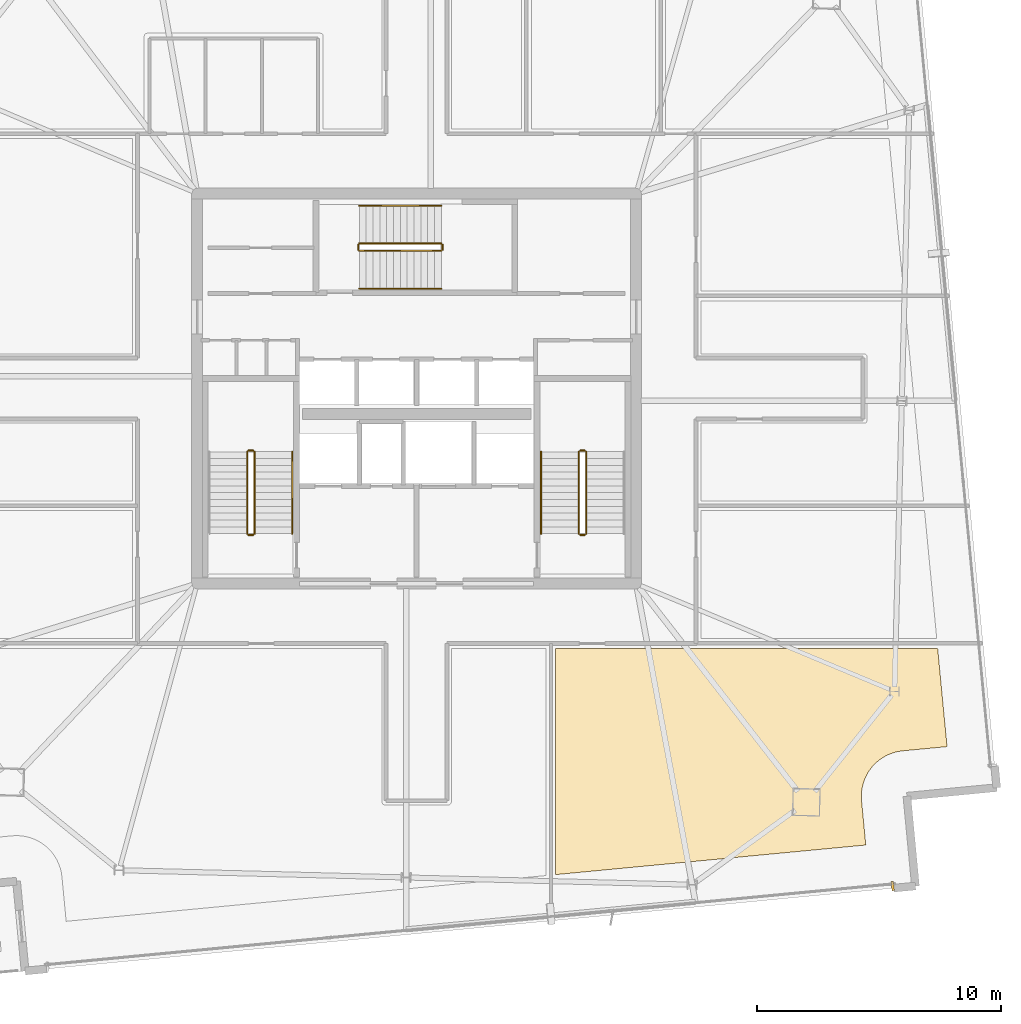
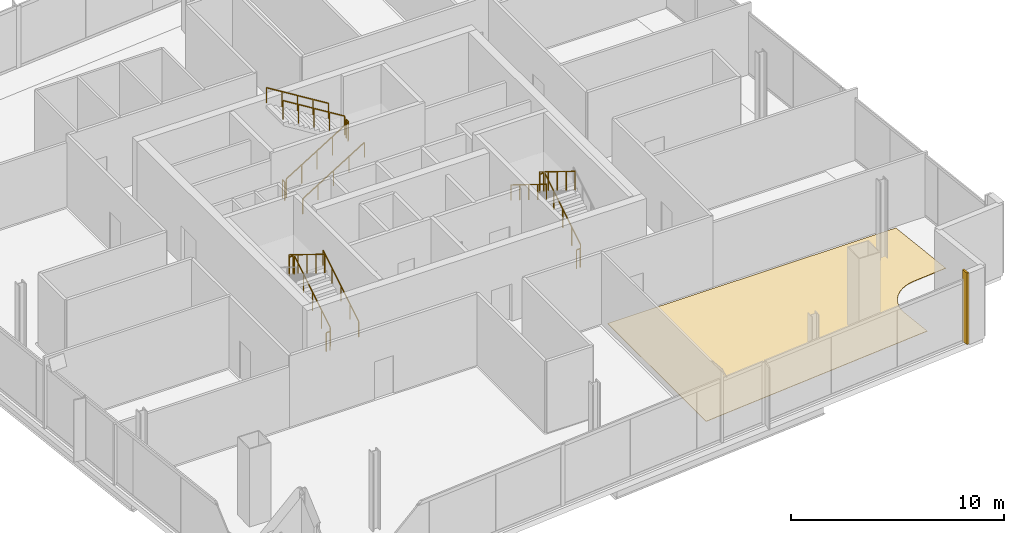
# One storey, part 23 of 24: 16 railings, 2 coverings.
"""IFC4 building model written with IfcOpenShell, lengths in metres."""

from ifc_helpers import new_model, si_unit, direction, frame, origin, origin_2d, place, context, subcontext, project, spatial, polyline, rectangle, outline, extrude, source, transform, mapped, material, layer, layer_set, type_object, element, save


model = new_model("IFC4")

# Units and contexts
model_context = context("Model", 3, precision=1e-05, world=origin(), true_north=direction((0.0, 1.0)))
body_context = subcontext(model_context, "Body", "Model", "MODEL_VIEW")
ifc_project = project(units=[si_unit("LENGTHUNIT", "METRE"), si_unit("AREAUNIT", "SQUARE_METRE"), si_unit("VOLUMEUNIT", "CUBIC_METRE"), si_unit("PLANEANGLEUNIT", "RADIAN"), si_unit("MASSUNIT", "GRAM", prefix="KILO")], contexts=[model_context])

# Site, building, storey
site_placement = place(None, origin())
site = spatial("IfcSite", under=ifc_project, at=site_placement, CompositionType="ELEMENT")
building_placement = place(site_placement, origin())
building = spatial("IfcBuilding", under=site, at=building_placement, Name="Haldenkirk Collegiate Tower", CompositionType="ELEMENT")
storey_placement = place(building_placement, frame((0.0, 0.0, 347.699951171875)))
storey = spatial("IfcBuildingStorey", under=building, at=storey_placement, Name="L88", CompositionType="ELEMENT", Elevation=347.699951171875)

# Covering
ifc_material_1 = material(Name="Polished collegiate terrazzo", Category="concrete")
ifc_layer_1 = layer(ifc_material_1, 0.02490234375)
ifc_layer_set_1 = layer_set([ifc_layer_1], Name="Polished collegiate terrazzo")
covering_type_1 = type_object("IfcCoveringType", Name="COV-FLOOR-TERRAZZO", PredefinedType="FLOORING", material=ifc_layer_set_1)
covering_1_placement = place(storey_placement, origin())
element("IfcCovering", 1, at=covering_1_placement, inside=storey, type_object=covering_type_1, Name="L88 academic room finish 02", PredefinedType="FLOORING", context=body_context, shape_type="SweptSolid", body=[
    extrude(outline(polyline([(55.232421875, 10.9384765625), (55.221923828125, 10.932861328125), (55.07421875, 10.844970703125), (55.064453125, 10.83837890625), (54.92626953125, 10.736572265625), (54.917236328125, 10.72900390625), (54.78955078125, 10.614013671875), (54.78125, 10.60595703125), (54.66552734375, 10.47900390625), (54.657958984375, 10.469970703125), (54.55517578125, 10.332275390625), (54.548583984375, 10.322509765625), (54.4599609375, 10.175537109375), (54.454345703125, 10.1650390625), (54.380615234375, 10.010009765625), (54.3759765625, 9.999267578125), (54.317626953125, 9.837646484375), (54.314208984375, 9.826416015625), (54.27197265625, 9.659912109375), (54.26953125, 9.6484375), (54.243896484375, 9.478759765625), (54.24267578125, 9.467041015625), (54.233642578125, 9.29541015625), (54.233642578125, 9.28369140625), (54.241455078125, 9.112060546875), (54.241943359375, 9.106201171875), (54.415771484375, 7.284423828125), (41.699951171875, 6.0712890625), (41.699951171875, 15.35009765625), (57.363037109375, 15.35009765625), (57.74755859375, 11.319091796875), (55.92578125, 11.1455078125), (55.919921875, 11.144775390625), (55.75, 11.1201171875), (55.738525390625, 11.11767578125), (55.57177734375, 11.076416015625), (55.560546875, 11.072998046875), (55.398681640625, 11.015625), (55.387939453125, 11.01123046875), (55.232421875, 10.9384765625)])), origin(), (0.0, 0.0, 1.0), 0.025146484375),
])

# Railings
ifc_material_2 = material(Name="Painted architectural tubular steel", Category="steel")
railing_type_1 = type_object("IfcRailingType", Name="RLG-STAIR-GUARD-1100", PredefinedType="BALUSTRADE", material=ifc_material_2)
railing_1_placement = place(storey_placement, frame((29.35009765625, 20.050048828125, 0.173095703125)))
element("IfcRailing", 2, at=railing_1_placement, inside=storey, type_object=railing_type_1, Name="L88 ST-1 stair guard 1", PredefinedType="BALUSTRADE", context=body_context, shape_type="SweptSolid", body=[
    extrude(rectangle(XDim=0.048095703125, YDim=0.048095703125, at=origin_2d()), frame((0.0, 0.0, 1.076171875), z_axis=(0.0, 0.850606129759, 0.525803396734), x_axis=(-1.0, 0.0, 0.0)), (0.0, 0.0, 1.0), 3.949951171875),
    extrude(rectangle(XDim=0.0419921875, YDim=0.0419921875, at=origin_2d()), origin(), (0.0, 0.0, 1.0), 1.052001953125),
    extrude(rectangle(XDim=0.0419921875, YDim=0.0419921875, at=origin_2d()), frame((0.0, 0.83984375, 0.519287109375)), (0.0, 0.0, 1.0), 1.052001953125),
    extrude(rectangle(XDim=0.0419921875, YDim=0.0419921875, at=origin_2d()), frame((0.0, 1.679931640625, 1.03857421875)), (0.0, 0.0, 1.0), 1.052001953125),
    extrude(rectangle(XDim=0.0419921875, YDim=0.0419921875, at=origin_2d()), frame((0.0, 2.52001953125, 1.5576171875)), (0.0, 0.0, 1.0), 1.052001953125),
    extrude(rectangle(XDim=0.0419921875, YDim=0.0419921875, at=origin_2d()), frame((0.0, 3.35986328125, 2.076904296875)), (0.0, 0.0, 1.0), 1.052001953125),
])
railing_2_placement = place(storey_placement, frame((29.300048828125, 23.4599609375, 2.25)))
element("IfcRailing", 3, at=railing_2_placement, inside=storey, type_object=railing_type_1, Name="L88 ST-1 stair guard 2", PredefinedType="BALUSTRADE", context=body_context, shape_type="SweptSolid", body=[
    extrude(rectangle(XDim=0.048095703125, YDim=0.048095703125, at=origin_2d()), frame((0.0, 0.0, 1.076171875), z_axis=(-1.0, 0.0, 0.0), x_axis=(0.0, -1.0, 0.0)), (0.0, 0.0, 1.0), 0.199951171875),
    extrude(rectangle(XDim=0.0419921875, YDim=0.0419921875, at=origin_2d()), origin(), (0.0, 0.0, 1.0), 1.052001953125),
    extrude(rectangle(XDim=0.0419921875, YDim=0.0419921875, at=origin_2d()), frame((-0.199951171875, 0.0, 0.0)), (0.0, 0.0, 1.0), 1.052001953125),
])
railing_3_placement = place(storey_placement, frame((29.050048828125, 23.409912109375, 2.423095703125)))
element("IfcRailing", 4, at=railing_3_placement, inside=storey, type_object=railing_type_1, Name="L88 ST-1 stair guard 3", PredefinedType="BALUSTRADE", context=body_context, shape_type="SweptSolid", body=[
    extrude(rectangle(XDim=0.048095703125, YDim=0.048095703125, at=origin_2d()), frame((0.0, 0.0, 1.076171875), z_axis=(0.0, -0.850606129759, 0.525803396734), x_axis=(1.0, 0.0, 0.0)), (0.0, 0.0, 1.0), 3.949951171875),
    extrude(rectangle(XDim=0.0419921875, YDim=0.0419921875, at=origin_2d()), origin(), (0.0, 0.0, 1.0), 1.052001953125),
    extrude(rectangle(XDim=0.0419921875, YDim=0.0419921875, at=origin_2d()), frame((0.0, -0.83984375, 0.519287109375)), (0.0, 0.0, 1.0), 1.052001953125),
    extrude(rectangle(XDim=0.0419921875, YDim=0.0419921875, at=origin_2d()), frame((0.0, -1.679931640625, 1.03857421875)), (0.0, 0.0, 1.0), 1.052001953125),
    extrude(rectangle(XDim=0.0419921875, YDim=0.0419921875, at=origin_2d()), frame((0.0, -2.52001953125, 1.5576171875)), (0.0, 0.0, 1.0), 1.052001953125),
    extrude(rectangle(XDim=0.0419921875, YDim=0.0419921875, at=origin_2d()), frame((0.0, -3.35986328125, 2.076904296875)), (0.0, 0.0, 1.0), 1.052001953125),
])
railing_4_placement = place(storey_placement, frame((29.300048828125, 20.0, 0.0)))
element("IfcRailing", 5, at=railing_4_placement, inside=storey, type_object=railing_type_1, Name="L88 ST-1 stair guard 4", PredefinedType="BALUSTRADE", context=body_context, shape_type="SweptSolid", body=[
    extrude(rectangle(XDim=0.048095703125, YDim=0.048095703125, at=origin_2d()), frame((0.0, 0.0, 1.076171875), z_axis=(-1.0, 0.0, 0.0), x_axis=(0.0, -1.0, 0.0)), (0.0, 0.0, 1.0), 0.199951171875),
    extrude(rectangle(XDim=0.0419921875, YDim=0.0419921875, at=origin_2d()), origin(), (0.0, 0.0, 1.0), 1.052001953125),
    extrude(rectangle(XDim=0.0419921875, YDim=0.0419921875, at=origin_2d()), frame((-0.199951171875, 0.0, 0.0)), (0.0, 0.0, 1.0), 1.052001953125),
])
railing_5_placement = place(storey_placement, frame((42.949951171875, 20.050048828125, 0.173095703125)))
element("IfcRailing", 6, at=railing_5_placement, inside=storey, type_object=railing_type_1, Name="L88 ST-2 stair guard 1", PredefinedType="BALUSTRADE", context=body_context, shape_type="SweptSolid", body=[
    extrude(rectangle(XDim=0.048095703125, YDim=0.048095703125, at=origin_2d()), frame((0.0, 0.0, 1.076171875), z_axis=(0.0, 0.850606129759, 0.525803396734), x_axis=(-1.0, 0.0, 0.0)), (0.0, 0.0, 1.0), 3.949951171875),
    extrude(rectangle(XDim=0.0419921875, YDim=0.0419921875, at=origin_2d()), origin(), (0.0, 0.0, 1.0), 1.052001953125),
    extrude(rectangle(XDim=0.0419921875, YDim=0.0419921875, at=origin_2d()), frame((0.0, 0.83984375, 0.519287109375)), (0.0, 0.0, 1.0), 1.052001953125),
    extrude(rectangle(XDim=0.0419921875, YDim=0.0419921875, at=origin_2d()), frame((0.0, 1.679931640625, 1.03857421875)), (0.0, 0.0, 1.0), 1.052001953125),
    extrude(rectangle(XDim=0.0419921875, YDim=0.0419921875, at=origin_2d()), frame((0.0, 2.52001953125, 1.5576171875)), (0.0, 0.0, 1.0), 1.052001953125),
    extrude(rectangle(XDim=0.0419921875, YDim=0.0419921875, at=origin_2d()), frame((0.0, 3.35986328125, 2.076904296875)), (0.0, 0.0, 1.0), 1.052001953125),
])
railing_6_placement = place(storey_placement, frame((42.89990234375, 23.4599609375, 2.25)))
element("IfcRailing", 7, at=railing_6_placement, inside=storey, type_object=railing_type_1, Name="L88 ST-2 stair guard 2", PredefinedType="BALUSTRADE", context=body_context, shape_type="SweptSolid", body=[
    extrude(rectangle(XDim=0.048095703125, YDim=0.048095703125, at=origin_2d()), frame((0.0, 0.0, 1.076171875), z_axis=(-1.0, 0.0, 0.0), x_axis=(0.0, -1.0, 0.0)), (0.0, 0.0, 1.0), 0.199951171875),
    extrude(rectangle(XDim=0.0419921875, YDim=0.0419921875, at=origin_2d()), origin(), (0.0, 0.0, 1.0), 1.052001953125),
    extrude(rectangle(XDim=0.0419921875, YDim=0.0419921875, at=origin_2d()), frame((-0.199951171875, 0.0, 0.0)), (0.0, 0.0, 1.0), 1.052001953125),
])
railing_7_placement = place(storey_placement, frame((42.64990234375, 23.409912109375, 2.423095703125)))
element("IfcRailing", 8, at=railing_7_placement, inside=storey, type_object=railing_type_1, Name="L88 ST-2 stair guard 3", PredefinedType="BALUSTRADE", context=body_context, shape_type="SweptSolid", body=[
    extrude(rectangle(XDim=0.048095703125, YDim=0.048095703125, at=origin_2d()), frame((0.0, 0.0, 1.076171875), z_axis=(0.0, -0.850606129759, 0.525803396734), x_axis=(1.0, 0.0, 0.0)), (0.0, 0.0, 1.0), 3.949951171875),
    extrude(rectangle(XDim=0.0419921875, YDim=0.0419921875, at=origin_2d()), origin(), (0.0, 0.0, 1.0), 1.052001953125),
    extrude(rectangle(XDim=0.0419921875, YDim=0.0419921875, at=origin_2d()), frame((0.0, -0.83984375, 0.519287109375)), (0.0, 0.0, 1.0), 1.052001953125),
    extrude(rectangle(XDim=0.0419921875, YDim=0.0419921875, at=origin_2d()), frame((0.0, -1.679931640625, 1.03857421875)), (0.0, 0.0, 1.0), 1.052001953125),
    extrude(rectangle(XDim=0.0419921875, YDim=0.0419921875, at=origin_2d()), frame((0.0, -2.52001953125, 1.5576171875)), (0.0, 0.0, 1.0), 1.052001953125),
    extrude(rectangle(XDim=0.0419921875, YDim=0.0419921875, at=origin_2d()), frame((0.0, -3.35986328125, 2.076904296875)), (0.0, 0.0, 1.0), 1.052001953125),
])
railing_8_placement = place(storey_placement, frame((42.89990234375, 20.0, 0.0)))
element("IfcRailing", 9, at=railing_8_placement, inside=storey, type_object=railing_type_1, Name="L88 ST-2 stair guard 4", PredefinedType="BALUSTRADE", context=body_context, shape_type="SweptSolid", body=[
    extrude(rectangle(XDim=0.048095703125, YDim=0.048095703125, at=origin_2d()), frame((0.0, 0.0, 1.076171875), z_axis=(-1.0, 0.0, 0.0), x_axis=(0.0, -1.0, 0.0)), (0.0, 0.0, 1.0), 0.199951171875),
    extrude(rectangle(XDim=0.0419921875, YDim=0.0419921875, at=origin_2d()), origin(), (0.0, 0.0, 1.0), 1.052001953125),
    extrude(rectangle(XDim=0.0419921875, YDim=0.0419921875, at=origin_2d()), frame((-0.199951171875, 0.0, 0.0)), (0.0, 0.0, 1.0), 1.052001953125),
])
railing_9_placement = place(storey_placement, frame((33.64990234375, 31.64990234375, 0.173095703125)))
element("IfcRailing", 10, at=railing_9_placement, inside=storey, type_object=railing_type_1, Name="L88 ST-3 stair guard 1", PredefinedType="BALUSTRADE", context=body_context, shape_type="SweptSolid", body=[
    extrude(rectangle(XDim=0.048095703125, YDim=0.048095703125, at=origin_2d()), frame((0.0, 0.0, 1.076171875), z_axis=(0.850623216509, 0.0, 0.525775754039), x_axis=(0.0, 1.0, 0.0)), (0.0, 0.0, 1.0), 3.9501953125),
    extrude(rectangle(XDim=0.0419921875, YDim=0.0419921875, at=origin_2d()), origin(), (0.0, 0.0, 1.0), 1.052001953125),
    extrude(rectangle(XDim=0.0419921875, YDim=0.0419921875, at=origin_2d()), frame((0.840087890625, 0.0, 0.519287109375)), (0.0, 0.0, 1.0), 1.052001953125),
    extrude(rectangle(XDim=0.0419921875, YDim=0.0419921875, at=origin_2d()), frame((1.68017578125, 0.0, 1.03857421875)), (0.0, 0.0, 1.0), 1.052001953125),
    extrude(rectangle(XDim=0.0419921875, YDim=0.0419921875, at=origin_2d()), frame((2.52001953125, 0.0, 1.5576171875)), (0.0, 0.0, 1.0), 1.052001953125),
    extrude(rectangle(XDim=0.0419921875, YDim=0.0419921875, at=origin_2d()), frame((3.360107421875, 0.0, 2.076904296875)), (0.0, 0.0, 1.0), 1.052001953125),
])
railing_10_placement = place(storey_placement, frame((37.06005859375, 31.699951171875, 2.25)))
element("IfcRailing", 11, at=railing_10_placement, inside=storey, type_object=railing_type_1, Name="L88 ST-3 stair guard 2", PredefinedType="BALUSTRADE", context=body_context, shape_type="SweptSolid", body=[
    extrude(rectangle(XDim=0.048095703125, YDim=0.048095703125, at=origin_2d()), frame((0.0, 0.0, 1.076171875), z_axis=(0.0, 1.0, 0.0), x_axis=(-1.0, 0.0, 0.0)), (0.0, 0.0, 1.0), 0.199951171875),
    extrude(rectangle(XDim=0.0419921875, YDim=0.0419921875, at=origin_2d()), origin(), (0.0, 0.0, 1.0), 1.052001953125),
    extrude(rectangle(XDim=0.0419921875, YDim=0.0419921875, at=origin_2d()), frame((0.0, 0.199951171875, 0.0)), (0.0, 0.0, 1.0), 1.052001953125),
])
railing_11_placement = place(storey_placement, frame((37.010009765625, 31.949951171875, 2.423095703125)))
element("IfcRailing", 12, at=railing_11_placement, inside=storey, type_object=railing_type_1, Name="L88 ST-3 stair guard 3", PredefinedType="BALUSTRADE", context=body_context, shape_type="SweptSolid", body=[
    extrude(rectangle(XDim=0.048095703125, YDim=0.048095703125, at=origin_2d()), frame((0.0, 0.0, 1.076171875), z_axis=(-0.850623216509, 0.0, 0.525775754039), x_axis=(0.0, -1.0, 0.0)), (0.0, 0.0, 1.0), 3.9501953125),
    extrude(rectangle(XDim=0.0419921875, YDim=0.0419921875, at=origin_2d()), origin(), (0.0, 0.0, 1.0), 1.052001953125),
    extrude(rectangle(XDim=0.0419921875, YDim=0.0419921875, at=origin_2d()), frame((-0.840087890625, 0.0, 0.519287109375)), (0.0, 0.0, 1.0), 1.052001953125),
    extrude(rectangle(XDim=0.0419921875, YDim=0.0419921875, at=origin_2d()), frame((-1.68017578125, 0.0, 1.03857421875)), (0.0, 0.0, 1.0), 1.052001953125),
    extrude(rectangle(XDim=0.0419921875, YDim=0.0419921875, at=origin_2d()), frame((-2.52001953125, 0.0, 1.5576171875)), (0.0, 0.0, 1.0), 1.052001953125),
    extrude(rectangle(XDim=0.0419921875, YDim=0.0419921875, at=origin_2d()), frame((-3.360107421875, 0.0, 2.076904296875)), (0.0, 0.0, 1.0), 1.052001953125),
])
railing_12_placement = place(storey_placement, frame((33.60009765625, 31.699951171875, 0.0)))
element("IfcRailing", 13, at=railing_12_placement, inside=storey, type_object=railing_type_1, Name="L88 ST-3 stair guard 4", PredefinedType="BALUSTRADE", context=body_context, shape_type="SweptSolid", body=[
    extrude(rectangle(XDim=0.048095703125, YDim=0.048095703125, at=origin_2d()), frame((0.0, 0.0, 1.076171875), z_axis=(0.0, 1.0, 0.0), x_axis=(-1.0, 0.0, 0.0)), (0.0, 0.0, 1.0), 0.199951171875),
    extrude(rectangle(XDim=0.0419921875, YDim=0.0419921875, at=origin_2d()), origin(), (0.0, 0.0, 1.0), 1.052001953125),
    extrude(rectangle(XDim=0.0419921875, YDim=0.0419921875, at=origin_2d()), frame((0.0, 0.199951171875, 0.0)), (0.0, 0.0, 1.0), 1.052001953125),
])
railing_type_2 = type_object("IfcRailingType", Name="RLG-STAIR-HANDRAIL-900", PredefinedType="HANDRAIL", material=ifc_material_2)
railing_13_placement = place(storey_placement, frame((30.89990234375, 20.050048828125, 0.173095703125)))
element("IfcRailing", 14, at=railing_13_placement, inside=storey, type_object=railing_type_2, Name="L88 ST-1 stair handrail 1", PredefinedType="HANDRAIL", context=body_context, shape_type="SweptSolid", body=[
    extrude(rectangle(XDim=0.048095703125, YDim=0.048095703125, at=origin_2d()), frame((0.0, 0.0, 0.8759765625), z_axis=(0.0, 0.850606129759, 0.525803396734), x_axis=(-1.0, 0.0, 0.0)), (0.0, 0.0, 1.0), 3.949951171875),
    extrude(rectangle(XDim=0.0419921875, YDim=0.0419921875, at=origin_2d()), origin(), (0.0, 0.0, 1.0), 0.851806640625),
    extrude(rectangle(XDim=0.0419921875, YDim=0.0419921875, at=origin_2d()), frame((0.0, 0.83984375, 0.519287109375)), (0.0, 0.0, 1.0), 0.851806640625),
    extrude(rectangle(XDim=0.0419921875, YDim=0.0419921875, at=origin_2d()), frame((0.0, 1.679931640625, 1.03857421875)), (0.0, 0.0, 1.0), 0.851806640625),
    extrude(rectangle(XDim=0.0419921875, YDim=0.0419921875, at=origin_2d()), frame((0.0, 2.52001953125, 1.5576171875)), (0.0, 0.0, 1.0), 0.851806640625),
    extrude(rectangle(XDim=0.0419921875, YDim=0.0419921875, at=origin_2d()), frame((0.0, 3.35986328125, 2.076904296875)), (0.0, 0.0, 1.0), 0.851806640625),
])
railing_14_placement = place(storey_placement, frame((41.10009765625, 23.409912109375, 2.423095703125)))
element("IfcRailing", 15, at=railing_14_placement, inside=storey, type_object=railing_type_2, Name="L88 ST-2 stair handrail 2", PredefinedType="HANDRAIL", context=body_context, shape_type="SweptSolid", body=[
    extrude(rectangle(XDim=0.048095703125, YDim=0.048095703125, at=origin_2d()), frame((0.0, 0.0, 0.8759765625), z_axis=(0.0, -0.850606129759, 0.525803396734), x_axis=(1.0, 0.0, 0.0)), (0.0, 0.0, 1.0), 3.949951171875),
    extrude(rectangle(XDim=0.0419921875, YDim=0.0419921875, at=origin_2d()), origin(), (0.0, 0.0, 1.0), 0.851806640625),
    extrude(rectangle(XDim=0.0419921875, YDim=0.0419921875, at=origin_2d()), frame((0.0, -0.83984375, 0.519287109375)), (0.0, 0.0, 1.0), 0.851806640625),
    extrude(rectangle(XDim=0.0419921875, YDim=0.0419921875, at=origin_2d()), frame((0.0, -1.679931640625, 1.03857421875)), (0.0, 0.0, 1.0), 0.851806640625),
    extrude(rectangle(XDim=0.0419921875, YDim=0.0419921875, at=origin_2d()), frame((0.0, -2.52001953125, 1.5576171875)), (0.0, 0.0, 1.0), 0.851806640625),
    extrude(rectangle(XDim=0.0419921875, YDim=0.0419921875, at=origin_2d()), frame((0.0, -3.35986328125, 2.076904296875)), (0.0, 0.0, 1.0), 0.851806640625),
])
railing_15_placement = place(storey_placement, frame((33.64990234375, 30.10009765625, 0.173095703125)))
element("IfcRailing", 16, at=railing_15_placement, inside=storey, type_object=railing_type_2, Name="L88 ST-3 stair handrail 1", PredefinedType="HANDRAIL", context=body_context, shape_type="SweptSolid", body=[
    extrude(rectangle(XDim=0.048095703125, YDim=0.048095703125, at=origin_2d()), frame((0.0, 0.0, 0.8759765625), z_axis=(0.850623216509, 0.0, 0.525775754039), x_axis=(0.0, 1.0, 0.0)), (0.0, 0.0, 1.0), 3.9501953125),
    extrude(rectangle(XDim=0.0419921875, YDim=0.0419921875, at=origin_2d()), origin(), (0.0, 0.0, 1.0), 0.851806640625),
    extrude(rectangle(XDim=0.0419921875, YDim=0.0419921875, at=origin_2d()), frame((0.840087890625, 0.0, 0.519287109375)), (0.0, 0.0, 1.0), 0.851806640625),
    extrude(rectangle(XDim=0.0419921875, YDim=0.0419921875, at=origin_2d()), frame((1.68017578125, 0.0, 1.03857421875)), (0.0, 0.0, 1.0), 0.851806640625),
    extrude(rectangle(XDim=0.0419921875, YDim=0.0419921875, at=origin_2d()), frame((2.52001953125, 0.0, 1.5576171875)), (0.0, 0.0, 1.0), 0.851806640625),
    extrude(rectangle(XDim=0.0419921875, YDim=0.0419921875, at=origin_2d()), frame((3.360107421875, 0.0, 2.076904296875)), (0.0, 0.0, 1.0), 0.851806640625),
])
railing_16_placement = place(storey_placement, frame((37.010009765625, 33.5, 2.423095703125)))
element("IfcRailing", 17, at=railing_16_placement, inside=storey, type_object=railing_type_2, Name="L88 ST-3 stair handrail 2", PredefinedType="HANDRAIL", context=body_context, shape_type="SweptSolid", body=[
    extrude(rectangle(XDim=0.048095703125, YDim=0.048095703125, at=origin_2d()), frame((0.0, 0.0, 0.8759765625), z_axis=(-0.850623216509, 0.0, 0.525775754039), x_axis=(0.0, -1.0, 0.0)), (0.0, 0.0, 1.0), 3.9501953125),
    extrude(rectangle(XDim=0.0419921875, YDim=0.0419921875, at=origin_2d()), origin(), (0.0, 0.0, 1.0), 0.851806640625),
    extrude(rectangle(XDim=0.0419921875, YDim=0.0419921875, at=origin_2d()), frame((-0.840087890625, 0.0, 0.519287109375)), (0.0, 0.0, 1.0), 0.851806640625),
    extrude(rectangle(XDim=0.0419921875, YDim=0.0419921875, at=origin_2d()), frame((-1.68017578125, 0.0, 1.03857421875)), (0.0, 0.0, 1.0), 0.851806640625),
    extrude(rectangle(XDim=0.0419921875, YDim=0.0419921875, at=origin_2d()), frame((-2.52001953125, 0.0, 1.5576171875)), (0.0, 0.0, 1.0), 0.851806640625),
    extrude(rectangle(XDim=0.0419921875, YDim=0.0419921875, at=origin_2d()), frame((-3.360107421875, 0.0, 2.076904296875)), (0.0, 0.0, 1.0), 0.851806640625),
])

# Covering
ifc_material_3 = material(Name="Anodised architectural bronze aluminium", Category="aluminium")
ifc_layer_2 = layer(ifc_material_3, 0.06005859375)
ifc_layer_set_2 = layer_set([ifc_layer_2], Name="Anodised architectural bronze aluminium")
covering_type_2 = type_object("IfcCoveringType", Name="COV-CLAD-BRONZE-60", PredefinedType="CLADDING", material=ifc_layer_set_2)
shared_shape = source(origin(), body_context, "Body", "SweptSolid", [
    extrude(rectangle(XDim=0.10009765625, YDim=0.3798828125, at=origin_2d()), origin(), (0.0, 0.0, 1.0), 4.10009765625),
])
covering_2_placement = place(storey_placement, frame((55.5205078125, 5.601806640625, 0.0), z_axis=(0.0, 0.0, 1.0), x_axis=(-0.995479460536, -0.094977069084, 0.0)))
element("IfcCovering", 18, at=covering_2_placement, inside=storey, type_object=covering_type_2, Name="L88 recessed curtain-wall bronze jamb closure WJL", PredefinedType="CLADDING", context=body_context, shape_type="MappedRepresentation", body=[
    mapped(shared_shape, transform((0.0, 0.0, 0.0), x_axis=(1.0, 0.0, 0.0), y_axis=(0.0, 1.0, 0.0), z_axis=(0.0, 0.0, 1.0), scale=1.0)),
])

save(model, "model.ifc")
